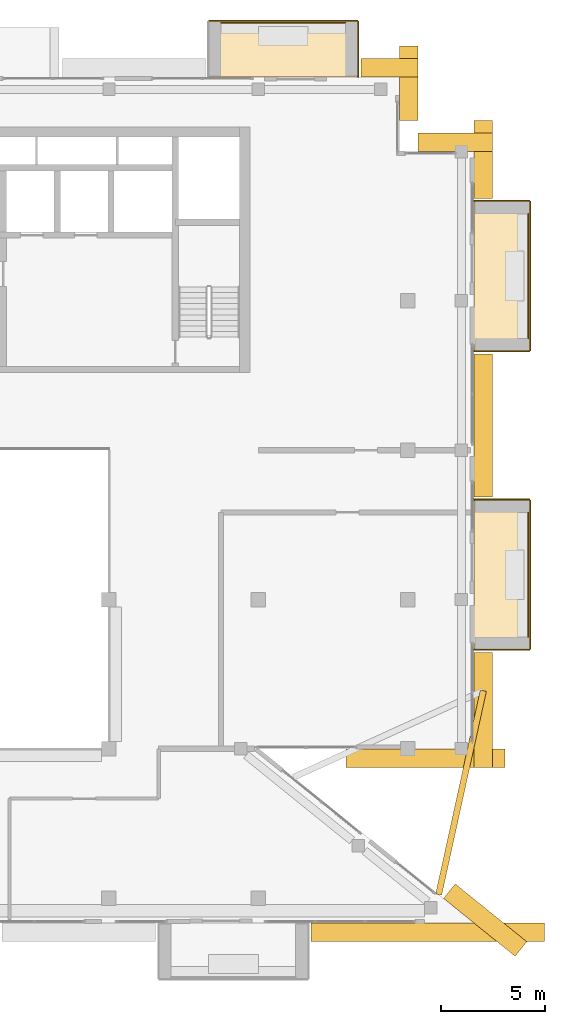
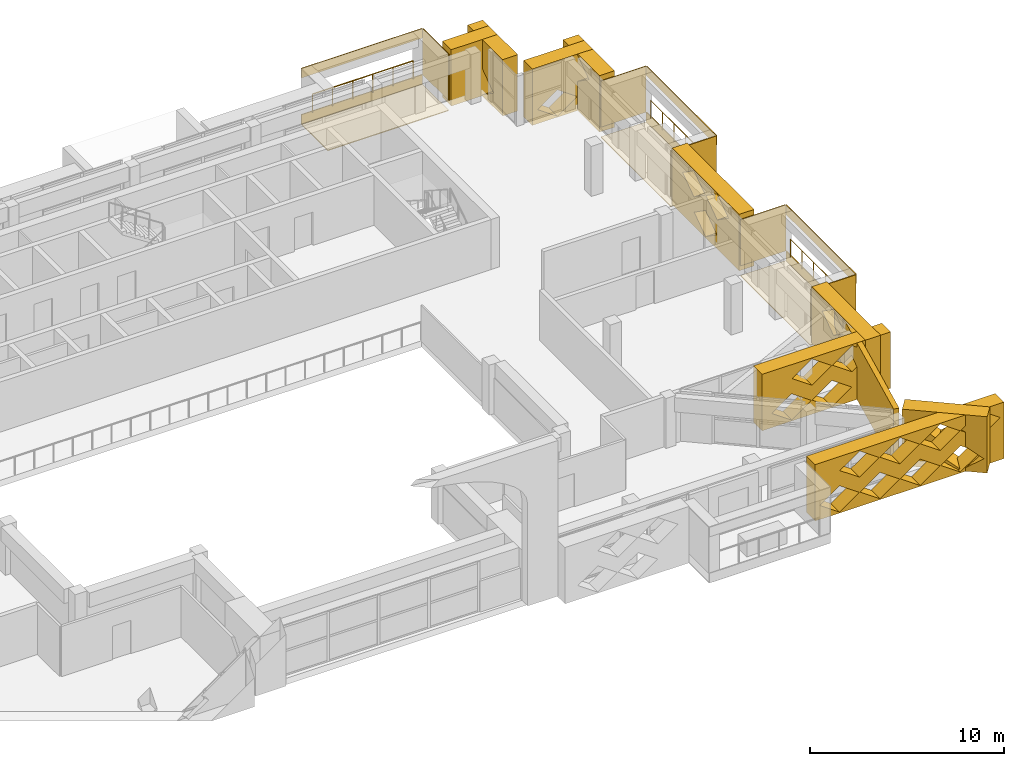
# One storey, part 22 of 22: 24 coverings, 3 railings.
"""IFC4 building model written with IfcOpenShell, lengths in metres."""

from ifc_helpers import new_model, si_unit, direction, frame, origin, origin_2d, place, context, subcontext, project, spatial, polyline, circle, outline, extrude, material, layer, layer_set, type_object, element, save


model = new_model("IFC4")

# Units and contexts
model_context = context("Model", 3, precision=1e-05, world=origin(), true_north=direction((0.0, 1.0)))
body_context = subcontext(model_context, "Body", "Model", "MODEL_VIEW")
ifc_project = project(units=[si_unit("LENGTHUNIT", "METRE"), si_unit("AREAUNIT", "SQUARE_METRE"), si_unit("VOLUMEUNIT", "CUBIC_METRE"), si_unit("PLANEANGLEUNIT", "RADIAN"), si_unit("MASSUNIT", "GRAM", prefix="KILO")], contexts=[model_context])

# Site, building, storey
site_placement = place(None, origin())
site = spatial("IfcSite", under=ifc_project, at=site_placement, CompositionType="ELEMENT")
building_placement = place(site_placement, origin())
building = spatial("IfcBuilding", under=site, at=building_placement, Name="Saffron Iwan Residences", CompositionType="ELEMENT")
storey_placement = place(building_placement, frame((0.0, 0.0, 271.0)))
storey = spatial("IfcBuildingStorey", under=building, at=storey_placement, Name="L73", CompositionType="ELEMENT", Elevation=271.0)

# Railings
ifc_material_1 = material(Name="Stainless steel 316", Category="steel")
railing_type = type_object("IfcRailingType", Name="BALCONY GUARD 1150", PredefinedType="GUARDRAIL", material=ifc_material_1)
for number, where, name in (
    (1, (85.02490234375, 53.39990234375, 0.0), "Balcony guard L73 F2-0"),
    (2, (85.02490234375, 67.800048828125, 0.0), "Balcony guard L73 F2-1"),
):
    element("IfcRailing", number, at=place(storey_placement, frame(where)), inside=storey, type_object=railing_type, Name=name, PredefinedType="GUARDRAIL", context=body_context, shape_type="SweptSolid", body=[
        extrude(circle(Radius=0.02392578125, at=origin_2d()), frame((0.0, 0.0, 1.1259765625), z_axis=(0.0, 1.0, 0.0), x_axis=(-1.0, 0.0, 0.0)), (0.0, 0.0, 1.0), 6.0),
        extrude(circle(Radius=0.02099609375, at=origin_2d()), origin(), (0.0, 0.0, 1.0), 1.101806640625),
        extrude(circle(Radius=0.02099609375, at=origin_2d()), frame((0.0, 1.199951171875, 0.0)), (0.0, 0.0, 1.0), 1.101806640625),
        extrude(circle(Radius=0.02099609375, at=origin_2d()), frame((0.0, 2.39990234375, 0.0)), (0.0, 0.0, 1.0), 1.101806640625),
        extrude(circle(Radius=0.02099609375, at=origin_2d()), frame((0.0, 3.60009765625, 0.0)), (0.0, 0.0, 1.0), 1.101806640625),
        extrude(circle(Radius=0.02099609375, at=origin_2d()), frame((0.0, 4.800048828125, 0.0)), (0.0, 0.0, 1.0), 1.101806640625),
        extrude(circle(Radius=0.02099609375, at=origin_2d()), frame((0.0, 6.0, 0.0)), (0.0, 0.0, 1.0), 1.101806640625),
    ])
railing_placement = place(storey_placement, frame((76.199951171875, 83.02490234375, 0.0)))
element("IfcRailing", 3, at=railing_placement, inside=storey, type_object=railing_type, Name="Balcony guard L73 F5-0", PredefinedType="GUARDRAIL", context=body_context, shape_type="SweptSolid", body=[
    extrude(circle(Radius=0.02392578125, at=origin_2d()), frame((0.0, 0.0, 1.1259765625), z_axis=(-1.0, 0.0, 0.0), x_axis=(0.0, -1.0, 0.0)), (0.0, 0.0, 1.0), 6.0),
    extrude(circle(Radius=0.02099609375, at=origin_2d()), origin(), (0.0, 0.0, 1.0), 1.101806640625),
    extrude(circle(Radius=0.02099609375, at=origin_2d()), frame((-1.199951171875, 0.0, 0.0)), (0.0, 0.0, 1.0), 1.101806640625),
    extrude(circle(Radius=0.02099609375, at=origin_2d()), frame((-2.39990234375, 0.0, 0.0)), (0.0, 0.0, 1.0), 1.101806640625),
    extrude(circle(Radius=0.02099609375, at=origin_2d()), frame((-3.60009765625, 0.0, 0.0)), (0.0, 0.0, 1.0), 1.101806640625),
    extrude(circle(Radius=0.02099609375, at=origin_2d()), frame((-4.800048828125, 0.0, 0.0)), (0.0, 0.0, 1.0), 1.101806640625),
    extrude(circle(Radius=0.02099609375, at=origin_2d()), frame((-6.0, 0.0, 0.0)), (0.0, 0.0, 1.0), 1.101806640625),
])

# Coverings
ifc_material_2 = material(Name="Precast concrete C40/50 white painted", Category="concrete")
ifc_layer_1 = layer(ifc_material_2, 0.050048828125)
ifc_layer_set_1 = layer_set([ifc_layer_1], Name="Precast concrete C40/50 white painted")
covering_type_1 = type_object("IfcCoveringType", Name="FRAME SKIN PRECAST WHITE 50", PredefinedType="CLADDING", material=ifc_layer_set_1)
covering_1_placement = place(storey_placement, frame((0.0, 0.0, -0.60009765625)))
element("IfcCovering", 4, at=covering_1_placement, inside=storey, type_object=covering_type_1, Name="Frame skin slab edge L73 F2-0", PredefinedType="CLADDING", context=body_context, shape_type="SweptSolid", body=[
    extrude(outline(polyline([(85.14990234375, 52.800048828125), (85.14990234375, 60.0), (85.10009765625, 60.0), (85.10009765625, 52.800048828125), (85.14990234375, 52.800048828125)])), origin(), (0.0, 0.0, 1.0), 0.60009765625),
])
covering_2_placement = place(storey_placement, frame((0.0, 0.0, 2.301025390625)))
element("IfcCovering", 5, at=covering_2_placement, inside=storey, type_object=covering_type_1, Name="Frame skin fascia L73 F2-0", PredefinedType="CLADDING", context=body_context, shape_type="SweptSolid", body=[
    extrude(outline(polyline([(85.14990234375, 52.800048828125), (85.14990234375, 60.0), (85.10009765625, 60.0), (85.10009765625, 52.800048828125), (85.14990234375, 52.800048828125)])), origin(), (0.0, 0.0, 1.0), 0.599853515625),
])
covering_3_placement = place(storey_placement, frame((0.0, 0.0, -0.64990234375)))
element("IfcCovering", 6, at=covering_3_placement, inside=storey, type_object=covering_type_1, Name="Frame skin soffit L73 F2-0", PredefinedType="CLADDING", context=body_context, shape_type="SweptSolid", body=[
    extrude(outline(polyline([(85.10009765625, 52.800048828125), (85.10009765625, 60.0), (82.39990234375, 60.0), (82.39990234375, 52.800048828125), (85.10009765625, 52.800048828125)])), origin(), (0.0, 0.0, 1.0), 0.0498046875),
])
covering_4_placement = place(storey_placement, origin())
element("IfcCovering", 7, at=covering_4_placement, inside=storey, type_object=covering_type_1, Name="Frame skin fin L73 F2-0a", PredefinedType="CLADDING", context=body_context, shape_type="SweptSolid", body=[
    extrude(outline(polyline([(85.10009765625, 52.75), (85.10009765625, 52.800048828125), (82.39990234375, 52.800048828125), (82.39990234375, 52.75), (85.10009765625, 52.75)])), origin(), (0.0, 0.0, 1.0), 2.90087890625),
])
covering_5_placement = place(storey_placement, origin())
element("IfcCovering", 8, at=covering_5_placement, inside=storey, type_object=covering_type_1, Name="Frame skin fin L73 F2-0b", PredefinedType="CLADDING", context=body_context, shape_type="SweptSolid", body=[
    extrude(outline(polyline([(85.10009765625, 60.0), (85.10009765625, 60.050048828125), (82.39990234375, 60.050048828125), (82.39990234375, 60.0), (85.10009765625, 60.0)])), origin(), (0.0, 0.0, 1.0), 2.90087890625),
])
covering_6_placement = place(storey_placement, frame((0.0, 0.0, -0.60009765625)))
element("IfcCovering", 9, at=covering_6_placement, inside=storey, type_object=covering_type_1, Name="Frame skin slab edge L73 F2-1", PredefinedType="CLADDING", context=body_context, shape_type="SweptSolid", body=[
    extrude(outline(polyline([(85.14990234375, 67.199951171875), (85.14990234375, 74.39990234375), (85.10009765625, 74.39990234375), (85.10009765625, 67.199951171875), (85.14990234375, 67.199951171875)])), origin(), (0.0, 0.0, 1.0), 0.60009765625),
])
covering_7_placement = place(storey_placement, frame((0.0, 0.0, 2.301025390625)))
element("IfcCovering", 10, at=covering_7_placement, inside=storey, type_object=covering_type_1, Name="Frame skin fascia L73 F2-1", PredefinedType="CLADDING", context=body_context, shape_type="SweptSolid", body=[
    extrude(outline(polyline([(85.14990234375, 67.199951171875), (85.14990234375, 74.39990234375), (85.10009765625, 74.39990234375), (85.10009765625, 67.199951171875), (85.14990234375, 67.199951171875)])), origin(), (0.0, 0.0, 1.0), 0.599853515625),
])
covering_8_placement = place(storey_placement, frame((0.0, 0.0, -0.64990234375)))
element("IfcCovering", 11, at=covering_8_placement, inside=storey, type_object=covering_type_1, Name="Frame skin soffit L73 F2-1", PredefinedType="CLADDING", context=body_context, shape_type="SweptSolid", body=[
    extrude(outline(polyline([(85.10009765625, 67.199951171875), (85.10009765625, 74.39990234375), (82.39990234375, 74.39990234375), (82.39990234375, 67.199951171875), (85.10009765625, 67.199951171875)])), origin(), (0.0, 0.0, 1.0), 0.0498046875),
])
covering_9_placement = place(storey_placement, origin())
element("IfcCovering", 12, at=covering_9_placement, inside=storey, type_object=covering_type_1, Name="Frame skin fin L73 F2-1a", PredefinedType="CLADDING", context=body_context, shape_type="SweptSolid", body=[
    extrude(outline(polyline([(85.10009765625, 67.14990234375), (85.10009765625, 67.199951171875), (82.39990234375, 67.199951171875), (82.39990234375, 67.14990234375), (85.10009765625, 67.14990234375)])), origin(), (0.0, 0.0, 1.0), 2.90087890625),
])
covering_10_placement = place(storey_placement, origin())
element("IfcCovering", 13, at=covering_10_placement, inside=storey, type_object=covering_type_1, Name="Frame skin fin L73 F2-1b", PredefinedType="CLADDING", context=body_context, shape_type="SweptSolid", body=[
    extrude(outline(polyline([(85.10009765625, 74.39990234375), (85.10009765625, 74.449951171875), (82.39990234375, 74.449951171875), (82.39990234375, 74.39990234375), (85.10009765625, 74.39990234375)])), origin(), (0.0, 0.0, 1.0), 2.90087890625),
])
covering_11_placement = place(storey_placement, frame((0.0, 0.0, -0.60009765625)))
element("IfcCovering", 14, at=covering_11_placement, inside=storey, type_object=covering_type_1, Name="Frame skin slab edge L73 F5-0", PredefinedType="CLADDING", context=body_context, shape_type="SweptSolid", body=[
    extrude(outline(polyline([(76.800048828125, 83.14990234375), (69.60009765625, 83.14990234375), (69.60009765625, 83.10009765625), (76.800048828125, 83.10009765625), (76.800048828125, 83.14990234375)])), origin(), (0.0, 0.0, 1.0), 0.60009765625),
])
covering_12_placement = place(storey_placement, frame((0.0, 0.0, 2.301025390625)))
element("IfcCovering", 15, at=covering_12_placement, inside=storey, type_object=covering_type_1, Name="Frame skin fascia L73 F5-0", PredefinedType="CLADDING", context=body_context, shape_type="SweptSolid", body=[
    extrude(outline(polyline([(76.800048828125, 83.14990234375), (69.60009765625, 83.14990234375), (69.60009765625, 83.10009765625), (76.800048828125, 83.10009765625), (76.800048828125, 83.14990234375)])), origin(), (0.0, 0.0, 1.0), 0.599853515625),
])
covering_13_placement = place(storey_placement, frame((0.0, 0.0, -0.64990234375)))
element("IfcCovering", 16, at=covering_13_placement, inside=storey, type_object=covering_type_1, Name="Frame skin soffit L73 F5-0", PredefinedType="CLADDING", context=body_context, shape_type="SweptSolid", body=[
    extrude(outline(polyline([(76.800048828125, 83.10009765625), (69.60009765625, 83.10009765625), (69.60009765625, 80.39990234375), (76.800048828125, 80.39990234375), (76.800048828125, 83.10009765625)])), origin(), (0.0, 0.0, 1.0), 0.0498046875),
])
covering_14_placement = place(storey_placement, origin())
element("IfcCovering", 17, at=covering_14_placement, inside=storey, type_object=covering_type_1, Name="Frame skin fin L73 F5-0a", PredefinedType="CLADDING", context=body_context, shape_type="SweptSolid", body=[
    extrude(outline(polyline([(76.85009765625, 83.10009765625), (76.800048828125, 83.10009765625), (76.800048828125, 80.39990234375), (76.85009765625, 80.39990234375), (76.85009765625, 83.10009765625)])), origin(), (0.0, 0.0, 1.0), 2.90087890625),
])
ifc_material_3 = material(Name="Precast concrete C40/50", Category="concrete")
covering_type_2 = type_object("IfcCoveringType", Name="OUTER SKIN LATTICE SCREEN", PredefinedType="CLADDING", material=ifc_material_3)
covering_15_placement = place(storey_placement, frame((84.387939453125, 37.994384765625, -0.40087890625), z_axis=(0.628558089533, 0.777762642509, 0.0), x_axis=(-0.777762642509, 0.628558089533, 0.0)))
element("IfcCovering", 18, at=covering_15_placement, inside=storey, type_object=covering_type_2, Name="OUTER SKIN lattice screen L73 F0.0", PredefinedType="CLADDING", context=body_context, shape_type="SweptSolid", body=[
    extrude(outline(polyline([(0.0, 0.0), (4.439697265625, 0.0), (4.439697265625, 3.551025390625), (0.0, 3.551025390625), (0.0, 0.0)]), holes=[polyline([(0.175537109375, 0.8876953125), (1.35546875, 0.06005859375), (2.535400390625, 0.8876953125), (1.35546875, 1.715576171875), (0.175537109375, 0.8876953125)]), polyline([(1.37548828125, 2.663330078125), (2.555419921875, 1.83544921875), (3.735595703125, 2.663330078125), (2.555419921875, 3.490966796875), (1.37548828125, 2.663330078125)])]), origin(), (0.0, 0.0, 1.0), 0.89990234375),
])
covering_16_placement = place(storey_placement, frame((76.235595703125, 48.0, -0.40087890625), z_axis=(0.0, -1.0, 0.0), x_axis=(1.0, 0.0, 0.0)))
element("IfcCovering", 19, at=covering_16_placement, inside=storey, type_object=covering_type_2, Name="OUTER SKIN lattice screen L73 F1.0", PredefinedType="CLADDING", context=body_context, shape_type="SweptSolid", body=[
    extrude(outline(polyline([(0.0, 0.0), (7.66455078125, 0.0), (7.66455078125, 3.551025390625), (0.0, 3.551025390625), (0.0, 0.0)]), holes=[polyline([(0.58447265625, 0.8876953125), (1.764404296875, 0.06005859375), (2.944580078125, 0.8876953125), (1.764404296875, 1.715576171875), (0.58447265625, 0.8876953125)]), polyline([(2.984619140625, 0.8876953125), (4.16455078125, 0.06005859375), (5.344482421875, 0.8876953125), (4.16455078125, 1.715576171875), (2.984619140625, 0.8876953125)]), polyline([(1.784423828125, 2.663330078125), (2.964599609375, 1.83544921875), (4.14453125, 2.663330078125), (2.964599609375, 3.490966796875), (1.784423828125, 2.663330078125)]), polyline([(4.1845703125, 2.663330078125), (5.364501953125, 1.83544921875), (6.54443359375, 2.663330078125), (5.364501953125, 3.490966796875), (4.1845703125, 2.663330078125)])]), origin(), (0.0, 0.0, 1.0), 0.89990234375),
])
covering_17_placement = place(storey_placement, frame((82.39990234375, 47.10009765625, -0.40087890625), z_axis=(1.0, 0.0, 0.0), x_axis=(0.0, 1.0, 0.0)))
element("IfcCovering", 20, at=covering_17_placement, inside=storey, type_object=covering_type_2, Name="OUTER SKIN lattice screen L73 F2.0", PredefinedType="CLADDING", context=body_context, shape_type="SweptSolid", body=[
    extrude(outline(polyline([(0.0, 0.0), (5.550048828125, 0.0), (5.550048828125, 3.551025390625), (0.0, 3.551025390625), (0.0, 0.0)]), holes=[polyline([(0.919921875, 0.8876953125), (2.10009765625, 0.06005859375), (3.280029296875, 0.8876953125), (2.10009765625, 1.715576171875), (0.919921875, 0.8876953125)]), polyline([(2.1201171875, 2.663330078125), (3.300048828125, 1.83544921875), (4.47998046875, 2.663330078125), (3.300048828125, 3.490966796875), (2.1201171875, 2.663330078125)])]), origin(), (0.0, 0.0, 1.0), 0.900146484375),
])
covering_18_placement = place(storey_placement, frame((82.39990234375, 60.14990234375, -0.40087890625), z_axis=(1.0, 0.0, 0.0), x_axis=(0.0, 1.0, 0.0)))
element("IfcCovering", 21, at=covering_18_placement, inside=storey, type_object=covering_type_2, Name="OUTER SKIN lattice screen L73 F2.1", PredefinedType="CLADDING", context=body_context, shape_type="SweptSolid", body=[
    extrude(outline(polyline([(0.0, 0.0), (6.89990234375, 0.0), (6.89990234375, 3.551025390625), (0.0, 3.551025390625), (0.0, 0.0)]), holes=[polyline([(2.27001953125, 0.8876953125), (3.449951171875, 0.06005859375), (4.6298828125, 0.8876953125), (3.449951171875, 1.715576171875), (2.27001953125, 0.8876953125)]), polyline([(1.070068359375, 2.663330078125), (2.25, 1.83544921875), (3.429931640625, 2.663330078125), (2.25, 3.490966796875), (1.070068359375, 2.663330078125)]), polyline([(3.469970703125, 2.663330078125), (4.64990234375, 1.83544921875), (5.830078125, 2.663330078125), (4.64990234375, 3.490966796875), (3.469970703125, 2.663330078125)])]), origin(), (0.0, 0.0, 1.0), 0.900146484375),
])
covering_19_placement = place(storey_placement, frame((82.39990234375, 74.550048828125, -0.40087890625), z_axis=(1.0, 0.0, 0.0), x_axis=(0.0, 1.0, 0.0)))
element("IfcCovering", 22, at=covering_19_placement, inside=storey, type_object=covering_type_2, Name="OUTER SKIN lattice screen L73 F2.2", PredefinedType="CLADDING", context=body_context, shape_type="SweptSolid", body=[
    extrude(outline(polyline([(0.0, 0.0), (3.75, 0.0), (3.75, 3.551025390625), (0.0, 3.551025390625), (0.0, 0.0)]), holes=[polyline([(1.070068359375, 2.663330078125), (2.25, 1.83544921875), (3.429931640625, 2.663330078125), (2.25, 3.490966796875), (1.070068359375, 2.663330078125)])]), origin(), (0.0, 0.0, 1.0), 0.900146484375),
])
for number, where, z_axis, x_axis, name in (
    (23, (83.300048828125, 76.800048828125, -0.40087890625), (0.0, 1.0, 0.0), (-1.0, 0.0, 0.0), "OUTER SKIN lattice screen L73 F3.0"),
    (24, (78.800048828125, 78.300048828125, -0.40087890625), (1.0, 0.0, 0.0), (0.0, 1.0, 0.0), "OUTER SKIN lattice screen L73 F4.0"),
):
    element("IfcCovering", number, at=place(storey_placement, frame(where, z_axis=z_axis, x_axis=x_axis)), inside=storey, type_object=covering_type_2, Name=name, PredefinedType="CLADDING", context=body_context, shape_type="SweptSolid", body=[
        extrude(outline(polyline([(0.0, 0.0), (3.60009765625, 0.0), (3.60009765625, 3.551025390625), (0.0, 3.551025390625), (0.0, 0.0)]), holes=[polyline([(0.919921875, 0.8876953125), (2.10009765625, 0.06005859375), (3.280029296875, 0.8876953125), (2.10009765625, 1.715576171875), (0.919921875, 0.8876953125)])]), origin(), (0.0, 0.0, 1.0), 0.89990234375),
    ])
covering_20_placement = place(storey_placement, frame((79.699951171875, 80.39990234375, -0.40087890625), z_axis=(0.0, 1.0, 0.0), x_axis=(-1.0, 0.0, 0.0)))
element("IfcCovering", 25, at=covering_20_placement, inside=storey, type_object=covering_type_2, Name="OUTER SKIN lattice screen L73 F5.0", PredefinedType="CLADDING", context=body_context, shape_type="SweptSolid", body=[
    extrude(outline(polyline([(0.0, 0.0), (2.75, 0.0), (2.75, 3.551025390625), (0.0, 3.551025390625), (0.0, 0.0)])), origin(), (0.0, 0.0, 1.0), 0.900146484375),
])
covering_21_placement = place(storey_placement, frame((74.550048828125, 39.60009765625, -0.40087890625), z_axis=(0.0, -1.0, 0.0), x_axis=(1.0, 0.0, 0.0)))
element("IfcCovering", 26, at=covering_21_placement, inside=storey, type_object=covering_type_2, Name="OUTER SKIN lattice screen L73 F11.3", PredefinedType="CLADDING", context=body_context, shape_type="SweptSolid", body=[
    extrude(outline(polyline([(0.0, 0.0), (11.24560546875, 0.0), (11.24560546875, 3.551025390625), (0.0, 3.551025390625), (0.0, 0.0)]), holes=[polyline([(0.27001953125, 0.8876953125), (1.449951171875, 0.06005859375), (2.6298828125, 0.8876953125), (1.449951171875, 1.715576171875), (0.27001953125, 0.8876953125)]), polyline([(2.669921875, 0.8876953125), (3.85009765625, 0.06005859375), (5.030029296875, 0.8876953125), (3.85009765625, 1.715576171875), (2.669921875, 0.8876953125)]), polyline([(5.070068359375, 0.8876953125), (6.25, 0.06005859375), (7.429931640625, 0.8876953125), (6.25, 1.715576171875), (5.070068359375, 0.8876953125)]), polyline([(7.469970703125, 0.8876953125), (8.64990234375, 0.06005859375), (9.830078125, 0.8876953125), (8.64990234375, 1.715576171875), (7.469970703125, 0.8876953125)]), polyline([(1.469970703125, 2.663330078125), (2.64990234375, 1.83544921875), (3.830078125, 2.663330078125), (2.64990234375, 3.490966796875), (1.469970703125, 2.663330078125)]), polyline([(3.8701171875, 2.663330078125), (5.050048828125, 1.83544921875), (6.22998046875, 2.663330078125), (5.050048828125, 3.490966796875), (3.8701171875, 2.663330078125)]), polyline([(6.27001953125, 2.663330078125), (7.449951171875, 1.83544921875), (8.6298828125, 2.663330078125), (7.449951171875, 3.490966796875), (6.27001953125, 2.663330078125)]), polyline([(8.669921875, 2.663330078125), (9.85009765625, 1.83544921875), (11.030029296875, 2.663330078125), (9.85009765625, 3.490966796875), (8.669921875, 2.663330078125)])]), origin(), (0.0, 0.0, 1.0), 0.900146484375),
])
ifc_layer_2 = layer(ifc_material_2, 0.300048828125)
ifc_layer_set_2 = layer_set([ifc_layer_2], Name="Precast concrete C40/50 white painted")
covering_type_3 = type_object("IfcCoveringType", Name="PROW NOSE BLADE PRECAST WHITE", PredefinedType="CLADDING", material=ifc_layer_set_2)
covering_22_placement = place(storey_placement, frame((0.0, 0.0, -0.40087890625)))
element("IfcCovering", 27, at=covering_22_placement, inside=storey, type_object=covering_type_3, Name="Prow nose blade L73 a", PredefinedType="CLADDING", context=body_context, shape_type="SweptSolid", body=[
    extrude(outline(polyline([(80.847412109375, 40.9404296875), (83.001708984375, 50.769287109375), (82.70849609375, 50.83349609375), (80.55419921875, 41.004638671875), (80.847412109375, 40.9404296875)])), origin(), (0.0, 0.0, 1.0), 3.55078125),
])

save(model, "model.ifc")
